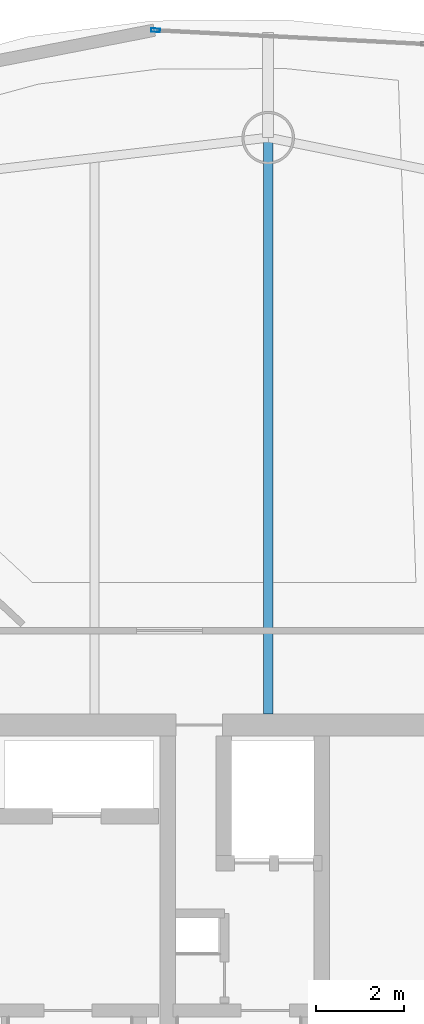
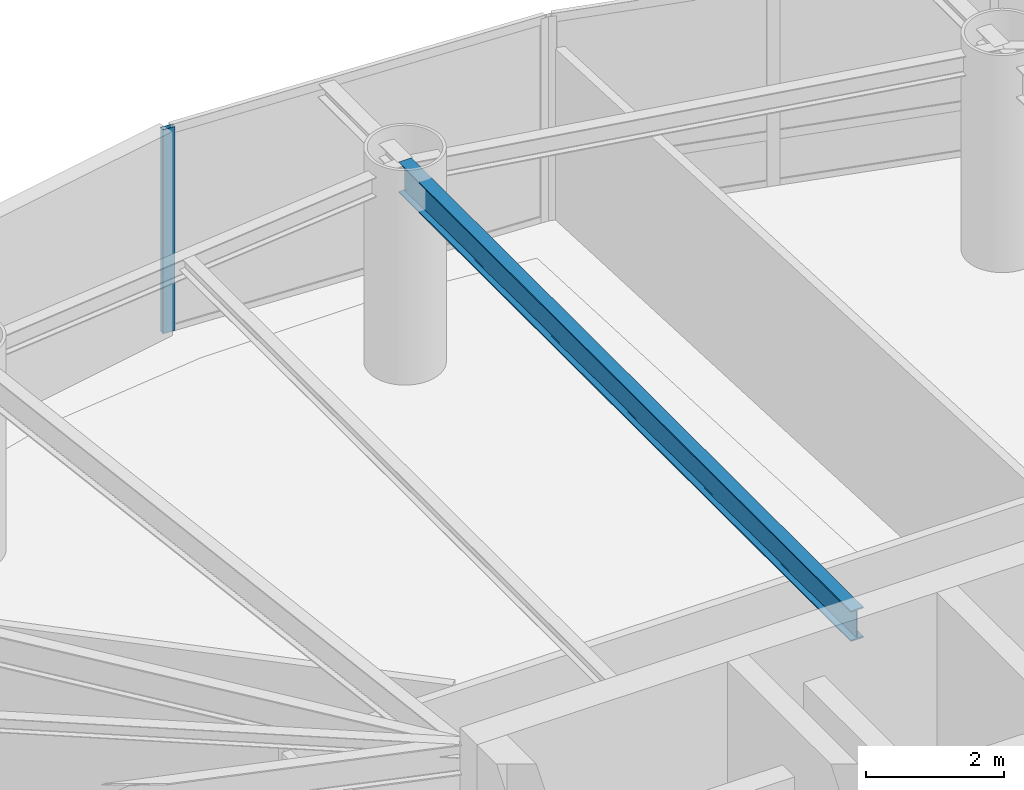
# One storey, part 11 of 20: 1 beam, 1 member, 1 element without a shape of its own.
"""IFC4 building model written with IfcOpenShell, lengths in metres."""

from ifc_helpers import new_model, si_unit, direction, frame, origin, origin_2d, place, context, subcontext, project, spatial, hollow_rectangle, i_section, extrude, material, layer, layer_set, material_profile, profile_set, type_object, element, aggregate, save


model = new_model("IFC4")

# Units and contexts
model_context = context("Model", 3, precision=1e-05, world=origin(), true_north=direction((0.0, 1.0)))
body_context = subcontext(model_context, "Body", "Model", "MODEL_VIEW")
ifc_project = project(units=[si_unit("LENGTHUNIT", "METRE"), si_unit("AREAUNIT", "SQUARE_METRE"), si_unit("VOLUMEUNIT", "CUBIC_METRE"), si_unit("PLANEANGLEUNIT", "RADIAN"), si_unit("MASSUNIT", "GRAM", prefix="KILO")], contexts=[model_context])

# Site, building, storey
site_placement = place(None, origin())
site = spatial("IfcSite", under=ifc_project, at=site_placement, CompositionType="ELEMENT")
building_placement = place(site_placement, origin())
building = spatial("IfcBuilding", under=site, at=building_placement, Name="Bramvorn Convention Spire", CompositionType="ELEMENT")
storey_placement = place(building_placement, frame((0.0, 0.0, 228.949951171875)))
storey = spatial("IfcBuildingStorey", under=building, at=storey_placement, Name="L58", CompositionType="ELEMENT", Elevation=228.949951171875)

# Beam
ifc_material_1 = material(Name="Steel CSA G40.21 Grade 350 (350W)", Category="steel")
ifc_material_profile_1 = material_profile(ifc_material_1, i_section(OverallWidth=0.2119140625, OverallDepth=0.5439453125, WebThickness=0.01318359375, FlangeThickness=0.021240234375, FilletRadius=0.01904296875, at=origin_2d()))
ifc_profile_set_1 = profile_set([ifc_material_profile_1], Name="Steel CSA G40.21 Grade 350 (350W) - W530X123")
beam_type = type_object("IfcBeamType", Name="BM-W530X123", PredefinedType="BEAM", material=ifc_profile_set_1)
beam_placement = place(storey_placement, frame((33.416259765625, 33.449951171875, 3.34814453125), z_axis=(0.0, 1.0, 0.0), x_axis=(-1.0, 0.0, 0.0)))
element("IfcBeam", 1, at=beam_placement, inside=storey, type_object=beam_type, Name="L58 radial floor girder MC07", PredefinedType="BEAM", context=body_context, shape_type="SweptSolid", body=[
    extrude(i_section(OverallWidth=0.2119140625, OverallDepth=0.5439453125, WebThickness=0.01318359375, FlangeThickness=0.021240234375, FilletRadius=0.01904296875, at=origin_2d()), origin(), (0.0, 0.0, 1.0), 13.138427734375),
])

# Curtain wall, member
ifc_material_2 = material(Name="Anodised Bronze Unitised Curtain Wall", Category="aluminium")
ifc_layer = layer(ifc_material_2, 0.179931640625)
ifc_layer_set = layer_set([ifc_layer], Name="Anodised Bronze Unitised Curtain Wall - CW-OFF-FRIT")
curtain_wall_type = type_object("IfcCurtainWallType", Name="CW-OFF-FRIT", PredefinedType="USERDEFINED", material=ifc_layer_set)
curtain_wall_placement = place(storey_placement, origin())
curtain_wall = element("IfcCurtainWall", 2, at=curtain_wall_placement, inside=storey, type_object=curtain_wall_type, Name="L58 fritted glass curtain wall 10", ObjectType="UNITISED CURTAIN WALL", PredefinedType="USERDEFINED")
ifc_material_3 = material(Name="Anodised Bronze Aluminium 6063-T6", Category="aluminium")
ifc_material_profile_2 = material_profile(ifc_material_3, hollow_rectangle(XDim=0.080078125, YDim=0.199951171875, WallThickness=0.00390625, InnerFilletRadius=0.0009765625, OuterFilletRadius=0.00390625, at=origin_2d()))
ifc_profile_set_2 = profile_set([ifc_material_profile_2], Name="Anodised Bronze Aluminium 6063-T6 - CWM80X200")
member_type = type_object("IfcMemberType", Name="CW-MUL-180", PredefinedType="MULLION", material=ifc_profile_set_2)
member_placement = place(storey_placement, frame((30.8505859375, 49.0380859375, 0.0), z_axis=(0.0, 0.0, 1.0), x_axis=(0.050960507272, 0.998700669219, 0.0)))
member = element("IfcMember", 3, at=member_placement, type_object=member_type, Name="CW3 mullion 1", PredefinedType="MULLION", context=body_context, shape_type="SweptSolid", body=[
    extrude(hollow_rectangle(XDim=0.080078125, YDim=0.199951171875, WallThickness=0.00390625, InnerFilletRadius=0.0009765625, OuterFilletRadius=0.00390625, at=origin_2d()), origin(), (0.0, 0.0, 1.0), 3.6201171875),
])
aggregate(curtain_wall, [member])

save(model, "model.ifc")
